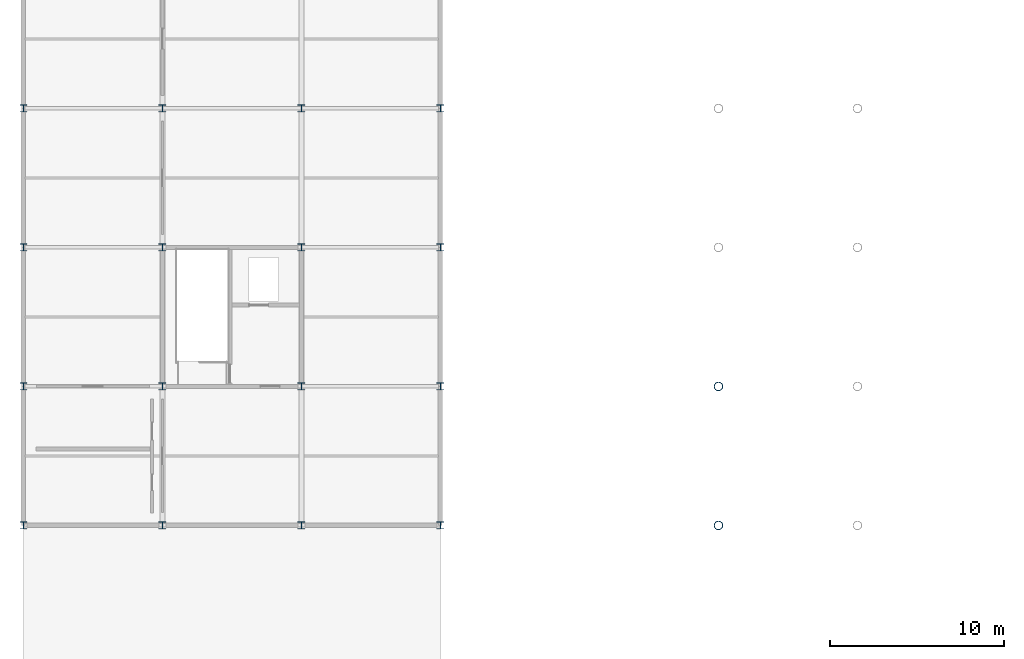
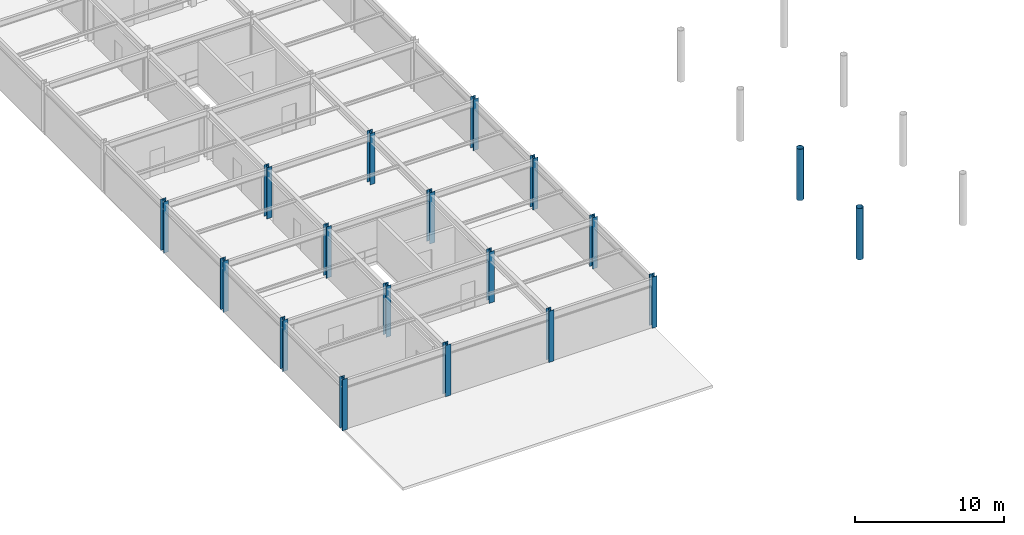
# One storey, part 1 of 41: 18 columns.
"""IFC4 building model written with IfcOpenShell, lengths in metres."""

from ifc_helpers import new_model, si_unit, direction, frame, origin, origin_2d, place, context, subcontext, project, spatial, hollow_circle, i_section, extrude, material, material_profile, profile_set, type_object, element, save


model = new_model("IFC4")

# Units and contexts
model_context = context("Model", 3, precision=1e-05, world=origin(), true_north=direction((0.0, 1.0)))
body_context = subcontext(model_context, "Body", "Model", "MODEL_VIEW")
ifc_project = project(units=[si_unit("LENGTHUNIT", "METRE"), si_unit("AREAUNIT", "SQUARE_METRE"), si_unit("VOLUMEUNIT", "CUBIC_METRE"), si_unit("PLANEANGLEUNIT", "RADIAN"), si_unit("MASSUNIT", "GRAM", prefix="KILO")], contexts=[model_context])

# Site, building, storey
site_placement = place(None, origin())
site = spatial("IfcSite", under=ifc_project, at=site_placement, CompositionType="ELEMENT")
building_placement = place(site_placement, origin())
building = spatial("IfcBuilding", under=site, at=building_placement, Name="Haebicheon Civic Stadium", CompositionType="ELEMENT")
storey_placement = place(building_placement, frame((0.0, 0.0, 27.0)))
storey = spatial("IfcBuildingStorey", under=building, at=storey_placement, Name="L07", CompositionType="ELEMENT", Elevation=27.0)

# Columns
ifc_material_1 = material(Name="White painted steel SM490", Category="steel")
ifc_material_profile_1 = material_profile(ifc_material_1, hollow_circle(Radius=0.25390625, WallThickness=0.02490234375, at=origin_2d()), Name="CHS-508.0x25.0")
ifc_profile_set_1 = profile_set([ifc_material_profile_1], Name="White painted steel SM490")
column_type_1 = type_object("IfcColumnType", Name="COL-ST-CHS508", PredefinedType="COLUMN", material=ifc_profile_set_1)
for number, where, z_axis, x_axis, name in (
    (1, (64.0, 48.0, 0.0), (0.0, 0.0, 1.0), (1.0, 0.0, 0.0), "Bowl/canopy support column 64/48 (L07)"),
    (2, (64.0, 56.0, 0.0), (0.0, 0.0, 1.0), (1.0, 0.0, 0.0), "Bowl/canopy support column 64/56 (L07)"),
):
    element("IfcColumn", number, at=place(storey_placement, frame(where, z_axis=z_axis, x_axis=x_axis)), inside=storey, type_object=column_type_1, material=ifc_profile_set_1, Name=name, PredefinedType="COLUMN", context=body_context, shape_type="SweptSolid", body=[
        extrude(hollow_circle(Radius=0.25390625, WallThickness=0.02490234375, at=origin_2d()), origin(), (0.0, 0.0, 1.0), 4.199951171875),
    ])
ifc_material_2 = material(Name="Steel SM355 (S355)", Category="steel")
ifc_material_profile_2 = material_profile(ifc_material_2, i_section(OverallWidth=0.39990234375, OverallDepth=0.39990234375, WebThickness=0.012939453125, FlangeThickness=0.02099609375, at=origin_2d()), Name="H-400x400x13x21")
ifc_profile_set_2 = profile_set([ifc_material_profile_2], Name="Steel SM355 (S355)")
column_type_2 = type_object("IfcColumnType", Name="COL-ST-H400", PredefinedType="COLUMN", material=ifc_profile_set_2)
for number, where, z_axis, x_axis, name in (
    (3, (24.0, 48.0, 0.0), (0.0, 0.0, 1.0), (1.0, 0.0, 0.0), "L07 column 4/G"),
    (4, (24.0, 56.0, 0.0), (0.0, 0.0, 1.0), (1.0, 0.0, 0.0), "L07 column 4/H"),
    (5, (24.0, 64.0, 0.0), (0.0, 0.0, 1.0), (1.0, 0.0, 0.0), "L07 column 4/J"),
    (6, (24.0, 72.0, 0.0), (0.0, 0.0, 1.0), (1.0, 0.0, 0.0), "L07 column 4/K"),
    (7, (32.0, 48.0, 0.0), (0.0, 0.0, 1.0), (1.0, 0.0, 0.0), "L07 column 5/G"),
    (8, (32.0, 56.0, 0.0), (0.0, 0.0, 1.0), (1.0, 0.0, 0.0), "L07 column 5/H"),
    (9, (32.0, 64.0, 0.0), (0.0, 0.0, 1.0), (1.0, 0.0, 0.0), "L07 column 5/J"),
    (10, (32.0, 72.0, 0.0), (0.0, 0.0, 1.0), (1.0, 0.0, 0.0), "L07 column 5/K"),
    (11, (40.0, 48.0, 0.0), (0.0, 0.0, 1.0), (1.0, 0.0, 0.0), "L07 column 6/G"),
    (12, (40.0, 56.0, 0.0), (0.0, 0.0, 1.0), (1.0, 0.0, 0.0), "L07 column 6/H"),
    (13, (40.0, 64.0, 0.0), (0.0, 0.0, 1.0), (1.0, 0.0, 0.0), "L07 column 6/J"),
    (14, (40.0, 72.0, 0.0), (0.0, 0.0, 1.0), (1.0, 0.0, 0.0), "L07 column 6/K"),
    (15, (48.0, 48.0, 0.0), (0.0, 0.0, 1.0), (1.0, 0.0, 0.0), "L07 column 7/G"),
    (16, (48.0, 56.0, 0.0), (0.0, 0.0, 1.0), (1.0, 0.0, 0.0), "L07 column 7/H"),
    (17, (48.0, 64.0, 0.0), (0.0, 0.0, 1.0), (1.0, 0.0, 0.0), "L07 column 7/J"),
    (18, (48.0, 72.0, 0.0), (0.0, 0.0, 1.0), (1.0, 0.0, 0.0), "L07 column 7/K"),
):
    element("IfcColumn", number, at=place(storey_placement, frame(where, z_axis=z_axis, x_axis=x_axis)), inside=storey, type_object=column_type_2, material=ifc_profile_set_2, Name=name, PredefinedType="COLUMN", context=body_context, shape_type="SweptSolid", body=[
        extrude(i_section(OverallWidth=0.39990234375, OverallDepth=0.39990234375, WebThickness=0.012939453125, FlangeThickness=0.02099609375, at=origin_2d()), origin(), (0.0, 0.0, 1.0), 4.199951171875),
    ])

save(model, "model.ifc")
